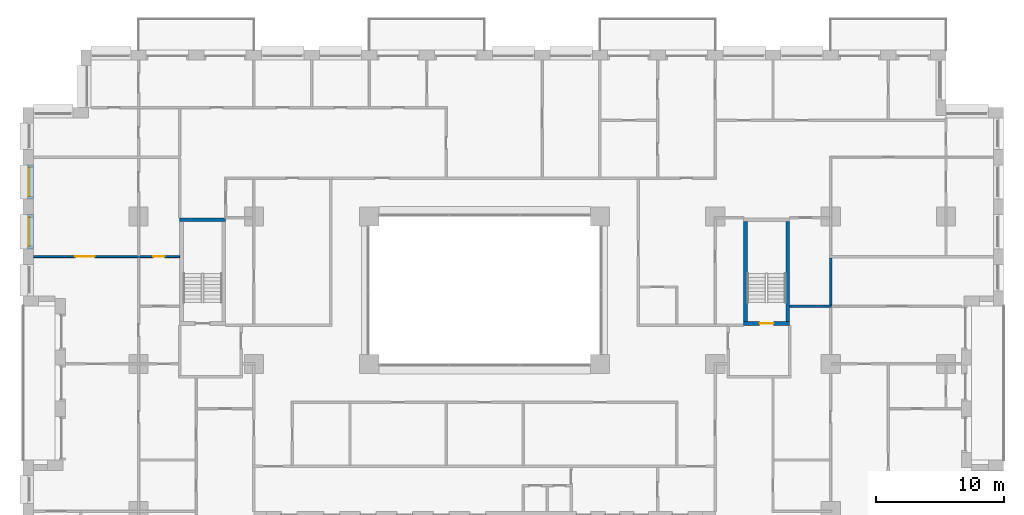
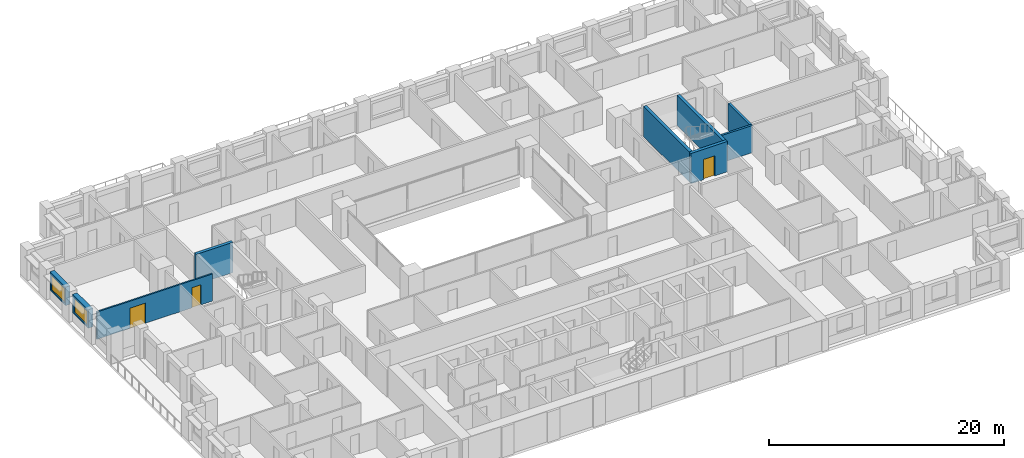
# One storey, part 13 of 20: 9 walls, 3 doors, 2 windows, 5 openings.
"""IFC4 building model written with IfcOpenShell, lengths in metres."""

import ifcopenshell
import ifcopenshell.guid

model = None  # the IFC model being written
_history = None  # IfcOwnerHistory: only IFC2X3 demands one
_inside = {}  # id of a spatial element -> (the spatial element, [elements in it])
_under = {}  # id of a project, library or spatial element -> (it, [spatial elements below it])
_declared = {}  # id of a project -> (the project, [libraries it declares])
_typed = {}  # id of a type object -> (the type object, [elements of that type])
_made_of = {}  # id of a material, layer set ... -> (it, [elements and type objects made of it])


def new_model(schema):
    """Start an empty IFC model of exactly this schema.

    Asked for "IFC4X3", IfcOpenShell would pick the latest addendum, in which some entities
    have other attributes; the version numbers below select the first issue.
    IFC2X3 requires an IfcOwnerHistory on every rooted entity: one is made here for all.
    """
    global model, _history
    if schema == "IFC4X3":
        model = ifcopenshell.file(schema_version=(4, 3, 0, 0))
    else:
        model = ifcopenshell.file(schema=schema)
    _inside.clear()
    _under.clear()
    _declared.clear()
    _typed.clear()
    _made_of.clear()
    _history = None
    if model.schema == "IFC2X3":
        org = make("IfcOrganization", Name="unknown")
        user = make(
            "IfcPersonAndOrganization",
            ThePerson=make("IfcPerson", FamilyName="unknown"),
            TheOrganization=org,
        )
        app = make(
            "IfcApplication",
            ApplicationDeveloper=org,
            Version="unknown",
            ApplicationFullName="unknown",
            ApplicationIdentifier="unknown",
        )
        _history = make(
            "IfcOwnerHistory",
            OwningUser=user,
            OwningApplication=app,
            ChangeAction="ADDED",
            CreationDate=0,
        )
    return model


def make(cls, **values):
    """One entity of the class cls with the attributes given. An attribute that is None is left unset."""
    return model.create_entity(
        cls, **{name: value for name, value in values.items() if value is not None}
    )


def rooted(cls, **values):
    """An entity with a GlobalId (a new one), such as an element, a storey or a relation."""
    return make(cls, GlobalId=ifcopenshell.guid.new(), OwnerHistory=_history, **values)


def si_unit(unit_type, name, prefix=None):
    """IfcSIUnit, for example si_unit("LENGTHUNIT", "METRE", prefix="MILLI")."""
    return make("IfcSIUnit", UnitType=unit_type, Prefix=prefix, Name=name)


def assignment(units):
    """IfcUnitAssignment: the units of a project."""
    return None if units is None else make("IfcUnitAssignment", Units=units)


def point(xyz):
    """IfcCartesianPoint."""
    return None if xyz is None else make("IfcCartesianPoint", Coordinates=xyz)


def direction(xyz):
    """IfcDirection."""
    return None if xyz is None else make("IfcDirection", DirectionRatios=xyz)


def frame(location, z_axis=None, x_axis=None):
    """IfcAxis2Placement3D, a coordinate frame: its origin and axes. An axis left out is left unset."""
    return make(
        "IfcAxis2Placement3D",
        Location=point(location),
        Axis=direction(z_axis),
        RefDirection=direction(x_axis),
    )


def frame_2d(location, x_axis=None):
    """IfcAxis2Placement2D, a coordinate frame in the plane: its origin and x axis."""
    return make(
        "IfcAxis2Placement2D", Location=point(location), RefDirection=direction(x_axis)
    )


def origin():
    """The frame at (0, 0, 0) with its axes left unset."""
    return frame((0.0, 0.0, 0.0))


def place(relative_to, where):
    """IfcLocalPlacement: puts the frame where relative to a parent placement (None: the world)."""
    return make(
        "IfcLocalPlacement", PlacementRelTo=relative_to, RelativePlacement=where
    )


def context(
    kind, dimensions, precision=None, world=None, true_north=None, identifier=None
):
    """IfcGeometricRepresentationContext, for example the 3D "Model" context."""
    return make(
        "IfcGeometricRepresentationContext",
        ContextIdentifier=identifier,
        ContextType=kind,
        CoordinateSpaceDimension=dimensions,
        Precision=precision,
        WorldCoordinateSystem=world,
        TrueNorth=true_north,
    )


def subcontext(parent, identifier, kind, view, scale=None):
    """IfcGeometricRepresentationSubContext, for example "Body" below "Model"."""
    return make(
        "IfcGeometricRepresentationSubContext",
        ContextIdentifier=identifier,
        ContextType=kind,
        ParentContext=parent,
        TargetScale=scale,
        TargetView=view,
    )


def project(units=None, contexts=None):
    """IfcProject with its units and contexts."""
    return rooted(
        "IfcProject",
        Name="project",
        RepresentationContexts=contexts,
        UnitsInContext=assignment(units),
    )


def spatial(cls, under=None, at=None, **own):
    """A site, building, storey or space (cls), placed at a placement, below another one or the project."""
    s = rooted(cls, ObjectPlacement=at, **own)
    if under is not None:
        _under.setdefault(under.id(), (under, []))[1].append(s)
    return s


def profile(cls, at=None, kind="AREA", **sizes):
    """A parametric profile (cls). Its sizes go by their IFC names, for example OverallWidth=200.0."""
    return make(cls, ProfileType=kind, Position=at, **sizes)


def rectangle(**sizes):
    """IfcRectangleProfileDef."""
    return profile("IfcRectangleProfileDef", **sizes)


def extrude(swept, where, along, depth):
    """IfcExtrudedAreaSolid: the profile swept, set in the frame where, extruded along a direction by depth."""
    return make(
        "IfcExtrudedAreaSolid",
        SweptArea=swept,
        Position=where,
        ExtrudedDirection=direction(along),
        Depth=depth,
    )


def shape(context_of_items, identifier, shape_type, items):
    """IfcShapeRepresentation: the items that make up one representation, for example the "Body"."""
    return make(
        "IfcShapeRepresentation",
        ContextOfItems=context_of_items,
        RepresentationIdentifier=identifier,
        RepresentationType=shape_type,
        Items=items,
    )


def material(Name=None, Category=None):
    """IfcMaterial."""
    return make("IfcMaterial", Name=Name, Category=Category)


def layer(
    of_material, thickness, ventilated=None, Name=None, Category=None, Priority=None
):
    """IfcMaterialLayer: one layer of a wall or slab, of a material (None: an air gap)."""
    return make(
        "IfcMaterialLayer",
        Material=of_material,
        LayerThickness=thickness,
        IsVentilated=ventilated,
        Name=Name,
        Category=Category,
        Priority=Priority,
    )


def layer_set(layers, Name=None):
    """IfcMaterialLayerSet."""
    return make("IfcMaterialLayerSet", MaterialLayers=layers, LayerSetName=Name)


def made_of(thing, what):
    """Note that an element or type object is made of a material, layer set ...; save() writes the relation."""
    if what is not None:
        _made_of.setdefault(what.id(), (what, []))[1].append(thing)
    return thing


def type_object(cls, material=None, **own):
    """A type object (cls), such as IfcWallType, which elements share."""
    return made_of(rooted(cls, **own), material)


def element(
    cls,
    number,
    at=None,
    inside=None,
    cuts=None,
    type_object=None,
    material=None,
    context=None,
    identifier="Body",
    shape_type=None,
    held_by="IfcProductDefinitionShape",
    body=None,
    shapes=None,
    **own,
):
    """One element of the class cls, such as IfcWall. Its Tag is "e" and its number.

    at: its placement. inside: the storey or other place that contains it. cuts: it is an
    opening in that element (IfcRelVoidsElement). A single representation is given by context,
    identifier, shape_type and body (its items); several are given by shapes. held_by: the class
    of the entity that holds the representations. save() writes the other relations.
    """
    e = rooted(cls, Tag="e%d" % number, ObjectPlacement=at, **own)
    if body is not None:
        shapes = [shape(context, identifier, shape_type, body)]
    if shapes is not None:
        e.Representation = make(held_by, Representations=shapes)
    if inside is not None:
        _inside.setdefault(inside.id(), (inside, []))[1].append(e)
    if cuts is not None:
        rooted(
            "IfcRelVoidsElement", RelatingBuildingElement=cuts, RelatedOpeningElement=e
        )
    if type_object is not None:
        _typed.setdefault(type_object.id(), (type_object, []))[1].append(e)
    return made_of(e, material)


def fill(opening, filler):
    """IfcRelFillsElement: the door or window that sits in an opening."""
    return rooted(
        "IfcRelFillsElement",
        RelatingOpeningElement=opening,
        RelatedBuildingElement=filler,
    )


def aggregate(whole, parts):
    """IfcRelAggregates: a whole, such as a stair, and the parts it consists of."""
    return rooted("IfcRelAggregates", RelatingObject=whole, RelatedObjects=parts)


def save(model, path):
    """Write the relations noted so far, then the file.

    IfcRelAggregates (storeys below a building ...), IfcRelContainedInSpatialStructure (elements
    in a storey), IfcRelDefinesByType, IfcRelAssociatesMaterial and IfcRelDeclares: one each for
    every whole, place, type object, material and project.
    """
    for whole, parts in _under.values():
        aggregate(whole, parts)
    for where, things in _inside.values():
        rooted(
            "IfcRelContainedInSpatialStructure",
            RelatedElements=things,
            RelatingStructure=where,
        )
    for kind, things in _typed.values():
        rooted("IfcRelDefinesByType", RelatedObjects=things, RelatingType=kind)
    for what, things in _made_of.values():
        rooted("IfcRelAssociatesMaterial", RelatedObjects=things, RelatingMaterial=what)
    for by, libraries in _declared.values():
        rooted("IfcRelDeclares", RelatingContext=by, RelatedDefinitions=libraries)
    model.write(path)


model = new_model("IFC4")

# Units and contexts
model_context = context("Model", 3, precision=1e-05, world=origin(), true_north=direction((0.0, 1.0)))
body_context = subcontext(model_context, "Body", "Model", "MODEL_VIEW")
ifc_project = project(units=[si_unit("LENGTHUNIT", "METRE"), si_unit("AREAUNIT", "SQUARE_METRE"), si_unit("VOLUMEUNIT", "CUBIC_METRE"), si_unit("PLANEANGLEUNIT", "RADIAN"), si_unit("MASSUNIT", "GRAM", prefix="KILO")], contexts=[model_context])

# Site, building, storey
site_placement = place(None, origin())
site = spatial("IfcSite", under=ifc_project, at=site_placement, CompositionType="ELEMENT")
building_placement = place(site_placement, origin())
building = spatial("IfcBuilding", under=site, at=building_placement, Name="Brigalow Station Residences", CompositionType="ELEMENT")
storey_placement = place(building_placement, frame((0.0, 0.0, 57.300048828125)))
storey = spatial("IfcBuildingStorey", under=building, at=storey_placement, Name="L16", CompositionType="ELEMENT", Elevation=57.300048828125)

# Wall, opening, window
ifc_material_1 = material(Name="Clay brick masonry", Category="masonry")
ifc_layer_1 = layer(ifc_material_1, 0.449951171875)
ifc_layer_set_1 = layer_set([ifc_layer_1], Name="BRICK INFILL WALL 450")
wall_type_1 = type_object("IfcWallType", Name="BRICK INFILL WALL 450", PredefinedType="SOLIDWALL", material=ifc_layer_set_1)
wall_1_placement = place(storey_placement, frame((0.574951171875, 39.52490234375, 0.89990234375), z_axis=(0.0, 0.0, 1.0), x_axis=(0.0, -1.0, 0.0)))
wall_1 = element("IfcWall", 1, at=wall_1_placement, inside=storey, type_object=wall_type_1, Name="L16/ewall/W-L16-43", PredefinedType="SOLIDWALL", context=body_context, shape_type="SweptSolid", body=[
    extrude(rectangle(XDim=2.6748046875, YDim=0.449951171875, at=frame_2d((1.33740234375, 0.0))), origin(), (0.0, 0.0, 1.0), 1.929931640625),
])
opening_1_placement = place(wall_1_placement, frame((0.21240234375, 0.0, 0.14990234375)))
opening_1 = element("IfcOpeningElement", 2, at=opening_1_placement, cuts=wall_1, Name="Opening WT-6", PredefinedType="OPENING", context=body_context, shape_type="SweptSolid", body=[
    extrude(rectangle(XDim=2.25, YDim=1.5, at=frame_2d((1.125, 0.75))), frame((0.0, 0.23486328125, 0.0), z_axis=(0.0, -1.0, 0.0), x_axis=(1.0, 0.0, 0.0)), (0.0, 0.0, 1.0), 0.469970703125),
])
ifc_material_2 = material(Name="Anodised aluminium frame with double glazing", Category="aluminium")
window_type = type_object("IfcWindowType", Name="WINDOW 2250x1500", PartitioningType="SINGLE_PANEL", PredefinedType="WINDOW", material=ifc_material_2)
window_1_placement = place(opening_1_placement, origin())
window_1 = element("IfcWindow", 3, at=window_1_placement, inside=storey, type_object=window_type, Name="L16/window/W-L16-43", OverallHeight=1.5, OverallWidth=2.25, PartitioningType="SINGLE_PANEL", PredefinedType="WINDOW", context=body_context, shape_type="SweptSolid", body=[
    extrude(rectangle(XDim=2.25, YDim=1.5, at=frame_2d((1.125, 0.75))), frame((0.0, -0.06494140625, 0.0), z_axis=(0.0, -1.0, 0.0), x_axis=(1.0, 0.0, 0.0)), (0.0, 0.0, 1.0), 0.06005859375),
])
fill(opening_1, window_1)

wall_2_placement = place(storey_placement, frame((0.574951171875, 35.64990234375, 0.89990234375), z_axis=(0.0, 0.0, 1.0), x_axis=(0.0, -1.0, 0.0)))
wall_2 = element("IfcWall", 4, at=wall_2_placement, inside=storey, type_object=wall_type_1, Name="L16/ewall/W-L16-44", PredefinedType="SOLIDWALL", context=body_context, shape_type="SweptSolid", body=[
    extrude(rectangle(XDim=2.6748046875, YDim=0.449951171875, at=frame_2d((1.33740234375, 0.0))), origin(), (0.0, 0.0, 1.0), 1.929931640625),
])
opening_2_placement = place(wall_2_placement, frame((0.21240234375, 0.0, 0.14990234375)))
opening_2 = element("IfcOpeningElement", 5, at=opening_2_placement, cuts=wall_2, Name="Opening WT-6", PredefinedType="OPENING", context=body_context, shape_type="SweptSolid", body=[
    extrude(rectangle(XDim=2.25, YDim=1.5, at=frame_2d((1.125, 0.75))), frame((0.0, 0.23486328125, 0.0), z_axis=(0.0, -1.0, 0.0), x_axis=(1.0, 0.0, 0.0)), (0.0, 0.0, 1.0), 0.469970703125),
])
window_2_placement = place(opening_2_placement, origin())
window_2 = element("IfcWindow", 6, at=window_2_placement, inside=storey, type_object=window_type, Name="L16/window/W-L16-44", OverallHeight=1.5, OverallWidth=2.25, PartitioningType="SINGLE_PANEL", PredefinedType="WINDOW", context=body_context, shape_type="SweptSolid", body=[
    extrude(rectangle(XDim=2.25, YDim=1.5, at=frame_2d((1.125, 0.75))), frame((0.0, -0.06494140625, 0.0), z_axis=(0.0, -1.0, 0.0), x_axis=(1.0, 0.0, 0.0)), (0.0, 0.0, 1.0), 0.06005859375),
])
fill(opening_2, window_2)

# Wall
ifc_material_3 = material(Name="Concrete C80", Category="concrete")
ifc_layer_2 = layer(ifc_material_3, 0.300048828125)
ifc_layer_set_2 = layer_set([ifc_layer_2], Name="CORE SHEAR WALL 300 C80")
wall_type_2 = type_object("IfcWallType", Name="CORE SHEAR WALL 300 C80", PredefinedType="SHEAR", material=ifc_layer_set_2)
wall_3_placement = place(storey_placement, frame((12.199951171875, 35.25, 0.0), z_axis=(0.0, 0.0, 1.0), x_axis=(1.0, 0.0, 0.0)))
element("IfcWall", 7, at=wall_3_placement, inside=storey, type_object=wall_type_2, Name="CORE WALL ST-S1-N L16", PredefinedType="SHEAR", context=body_context, shape_type="SweptSolid", body=[
    extrude(rectangle(XDim=3.60009765625, YDim=0.300048828125, at=frame_2d((1.800048828125, 0.0))), origin(), (0.0, 0.0, 1.0), 3.14990234375),
])

# Wall, opening, door
wall_4_placement = place(storey_placement, frame((56.199951171875, 27.14990234375, 0.0), z_axis=(0.0, 0.0, 1.0), x_axis=(1.0, 0.0, 0.0)))
wall_4 = element("IfcWall", 8, at=wall_4_placement, inside=storey, type_object=wall_type_2, Name="CORE WALL ST-S3-S L16", PredefinedType="SHEAR", context=body_context, shape_type="SweptSolid", body=[
    extrude(rectangle(XDim=3.60009765625, YDim=0.300048828125, at=frame_2d((1.800048828125, 0.0))), origin(), (0.0, 0.0, 1.0), 3.14990234375),
])
opening_3_placement = place(wall_4_placement, frame((1.25, 0.0, 0.0)))
opening_3 = element("IfcOpeningElement", 9, at=opening_3_placement, cuts=wall_4, Name="Opening D-5018", PredefinedType="OPENING", context=body_context, shape_type="SweptSolid", body=[
    extrude(rectangle(XDim=1.10009765625, YDim=2.10009765625, at=frame_2d((0.550048828125, 1.050048828125))), frame((0.0, 0.16015625, 0.0), z_axis=(0.0, -1.0, 0.0), x_axis=(1.0, 0.0, 0.0)), (0.0, 0.0, 1.0), 0.320068359375),
])
ifc_material_4 = material(Name="Steel fire door leaf in steel frame", Category="steel")
door_type_1 = type_object("IfcDoorType", Name="STAIR DOOR 1100 x 2100 FD60S", OperationType="SINGLE_SWING_LEFT", PredefinedType="DOOR", material=ifc_material_4)
door_1_placement = place(opening_3_placement, origin())
door_1 = element("IfcDoor", 10, at=door_1_placement, inside=storey, type_object=door_type_1, Name="D-5018", OperationType="SINGLE_SWING_LEFT", OverallHeight=2.10009765625, OverallWidth=1.10009765625, PredefinedType="DOOR", context=body_context, shape_type="SweptSolid", body=[
    extrude(rectangle(XDim=1.10009765625, YDim=2.10009765625, at=frame_2d((0.550048828125, 1.050048828125))), frame((0.0, 0.02490234375, 0.0), z_axis=(0.0, -1.0, 0.0), x_axis=(1.0, 0.0, 0.0)), (0.0, 0.0, 1.0), 0.050048828125),
])
fill(opening_3, door_1)

# Walls
for number, where, z_axis, x_axis, name in (
    (11, (56.35009765625, 27.300048828125, 0.0), (0.0, 0.0, 1.0), (0.0, 1.0, 0.0), "CORE WALL ST-S3-W L16"),
    (12, (59.64990234375, 27.300048828125, 0.0), (0.0, 0.0, 1.0), (0.0, 1.0, 0.0), "CORE WALL ST-S3-E L16"),
):
    element("IfcWall", number, at=place(storey_placement, frame(where, z_axis=z_axis, x_axis=x_axis)), inside=storey, type_object=wall_type_2, Name=name, PredefinedType="SHEAR", context=body_context, shape_type="SweptSolid", body=[
        extrude(rectangle(XDim=7.800048828125, YDim=0.300048828125, at=frame_2d((3.89990234375, 0.0))), origin(), (0.0, 0.0, 1.0), 3.14990234375),
    ])

# Wall, openings, doors
ifc_material_5 = material(Name="Plasterboard on steel stud partition", Category="steel")
ifc_layer_3 = layer(ifc_material_5, 0.14990234375)
ifc_layer_set_3 = layer_set([ifc_layer_3], Name="FLAT PARTITION 150")
wall_type_3 = type_object("IfcWallType", Name="FLAT PARTITION 150", PredefinedType="PARTITIONING", material=ifc_layer_set_3)
wall_5_placement = place(storey_placement, frame((0.800048828125, 32.375, 0.0), z_axis=(0.0, 0.0, 1.0), x_axis=(1.0, 0.0, 0.0)))
wall_5 = element("IfcWall", 13, at=wall_5_placement, inside=storey, type_object=wall_type_3, Name="PW-1E20", PredefinedType="PARTITIONING", context=body_context, shape_type="SweptSolid", body=[
    extrude(rectangle(XDim=11.39990234375, YDim=0.14990234375, at=frame_2d((5.699951171875, 0.0))), origin(), (0.0, 0.0, 1.0), 2.829833984375),
])
opening_4_placement = place(wall_5_placement, frame((3.27490234375, 0.0, 0.0)))
opening_4 = element("IfcOpeningElement", 14, at=opening_4_placement, cuts=wall_5, Name="Opening D-1E09", PredefinedType="OPENING", context=body_context, shape_type="SweptSolid", body=[
    extrude(rectangle(XDim=1.5, YDim=2.10009765625, at=frame_2d((0.75, 1.050048828125))), frame((0.0, 0.0849609375, 0.0), z_axis=(0.0, -1.0, 0.0), x_axis=(1.0, 0.0, 0.0)), (0.0, 0.0, 1.0), 0.169921875),
])
opening_5_placement = place(wall_5_placement, frame((9.35009765625, 0.0, 0.0)))
opening_5 = element("IfcOpeningElement", 15, at=opening_5_placement, cuts=wall_5, Name="Opening D-1E17", PredefinedType="OPENING", context=body_context, shape_type="SweptSolid", body=[
    extrude(rectangle(XDim=0.89990234375, YDim=2.10009765625, at=frame_2d((0.449951171875, 1.050048828125))), frame((0.0, 0.0849609375, 0.0), z_axis=(0.0, -1.0, 0.0), x_axis=(1.0, 0.0, 0.0)), (0.0, 0.0, 1.0), 0.169921875),
])
ifc_material_6 = material(Name="Solid-core timber door leaf", Category="wood")
door_type_2 = type_object("IfcDoorType", Name="INTERNAL DOOR 900 x 2100", OperationType="SINGLE_SWING_LEFT", PredefinedType="DOOR", material=ifc_material_6)
door_2_placement = place(opening_5_placement, frame((0.89990234375, 0.0, 0.0), z_axis=(0.0, 0.0, 1.0), x_axis=(-1.0, 0.0, 0.0)))
door_2 = element("IfcDoor", 16, at=door_2_placement, inside=storey, type_object=door_type_2, Name="D-1E17", OperationType="SINGLE_SWING_RIGHT", OverallHeight=2.10009765625, OverallWidth=0.89990234375, PredefinedType="DOOR", context=body_context, shape_type="SweptSolid", body=[
    extrude(rectangle(XDim=0.89990234375, YDim=2.10009765625, at=frame_2d((0.449951171875, 1.050048828125))), frame((0.0, 0.02490234375, 0.0), z_axis=(0.0, -1.0, 0.0), x_axis=(1.0, 0.0, 0.0)), (0.0, 0.0, 1.0), 0.050048828125),
])
fill(opening_5, door_2)
ifc_material_7 = material(Name="Solid-core timber door leaf", Category="wood")
door_type_3 = type_object("IfcDoorType", Name="INTERNAL DOUBLE DOOR 1500 x 2100", OperationType="DOUBLE_DOOR_SINGLE_SWING", PredefinedType="DOOR", material=ifc_material_7)
door_3_placement = place(opening_4_placement, frame((1.5, 0.0, 0.0), z_axis=(0.0, 0.0, 1.0), x_axis=(-1.0, 0.0, 0.0)))
door_3 = element("IfcDoor", 17, at=door_3_placement, inside=storey, type_object=door_type_3, Name="D-1E09", OperationType="DOUBLE_DOOR_SINGLE_SWING", OverallHeight=2.10009765625, OverallWidth=1.5, PredefinedType="DOOR", context=body_context, shape_type="SweptSolid", body=[
    extrude(rectangle(XDim=1.5, YDim=2.10009765625, at=frame_2d((0.75, 1.050048828125))), frame((0.0, 0.02490234375, 0.0), z_axis=(0.0, -1.0, 0.0), x_axis=(1.0, 0.0, 0.0)), (0.0, 0.0, 1.0), 0.050048828125),
])
fill(opening_4, door_3)

# Walls
ifc_material_8 = material(Name="Plasterboard on steel stud partition", Category="steel")
ifc_layer_4 = layer(ifc_material_8, 0.199951171875)
ifc_layer_set_4 = layer_set([ifc_layer_4], Name="PARTY AND CORRIDOR WALL 200")
wall_type_4 = type_object("IfcWallType", Name="PARTY AND CORRIDOR WALL 200", PredefinedType="PARTITIONING", material=ifc_layer_set_4)
wall_6_placement = place(storey_placement, frame((59.800048828125, 28.5, 0.0), z_axis=(0.0, 0.0, 1.0), x_axis=(1.0, 0.0, 0.0)))
element("IfcWall", 18, at=wall_6_placement, inside=storey, type_object=wall_type_4, Name="PW-1E24", PredefinedType="PARTITIONING", context=body_context, shape_type="SweptSolid", body=[
    extrude(rectangle(XDim=3.27490234375, YDim=0.199951171875, at=frame_2d((1.637451171875, 0.0))), origin(), (0.0, 0.0, 1.0), 2.829833984375),
])
wall_7_placement = place(storey_placement, frame((63.0, 28.574951171875, 0.0), z_axis=(0.0, 0.0, 1.0), x_axis=(0.0, 1.0, 0.0)))
element("IfcWall", 19, at=wall_7_placement, inside=storey, type_object=wall_type_4, Name="PW-1E71", PredefinedType="PARTITIONING", context=body_context, shape_type="SweptSolid", body=[
    extrude(rectangle(XDim=3.699951171875, YDim=0.199951171875, at=frame_2d((1.85009765625, 0.0))), origin(), (0.0, 0.0, 1.0), 2.829833984375),
])

save(model, "model.ifc")
